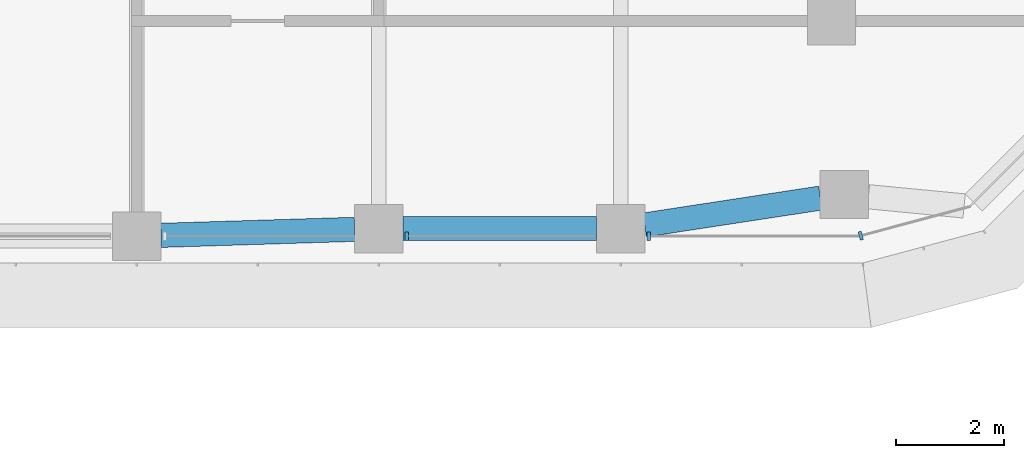
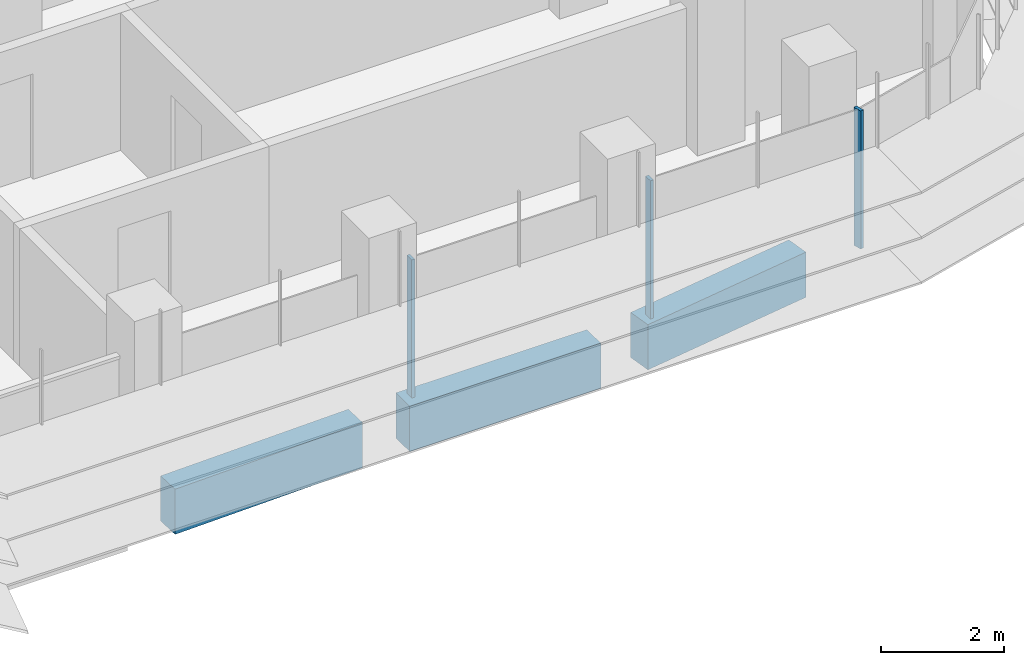
# One storey, part 5 of 22: 3 beams, 3 members, 2 elements without a shape of their own.
"""IFC4 building model written with IfcOpenShell, lengths in metres."""

from ifc_helpers import new_model, si_unit, direction, frame, origin, origin_2d, place, context, subcontext, project, spatial, polyline, rectangle, outline, extrude, source, transform, mapped, material, material_profile, profile_set, type_object, element, aggregate, save


model = new_model("IFC4")

# Units and contexts
model_context = context("Model", 3, precision=1e-05, world=origin(), true_north=direction((0.0, 1.0)))
body_context = subcontext(model_context, "Body", "Model", "MODEL_VIEW")
ifc_project = project(units=[si_unit("LENGTHUNIT", "METRE"), si_unit("AREAUNIT", "SQUARE_METRE"), si_unit("VOLUMEUNIT", "CUBIC_METRE"), si_unit("PLANEANGLEUNIT", "RADIAN"), si_unit("MASSUNIT", "GRAM", prefix="KILO")], contexts=[model_context])

# Site, building, storey
site_placement = place(None, origin())
site = spatial("IfcSite", under=ifc_project, at=site_placement, CompositionType="ELEMENT")
building_placement = place(site_placement, origin())
building = spatial("IfcBuilding", under=site, at=building_placement, Name="Zarbagh Exchange Tower", CompositionType="ELEMENT")
storey_placement = place(building_placement, frame((0.0, 0.0, 113.199951171875)))
storey = spatial("IfcBuildingStorey", under=building, at=storey_placement, Name="L26", CompositionType="ELEMENT", Elevation=113.199951171875)

# Beams
ifc_material_1 = material(Name="Concrete C60/75", Category="concrete")
ifc_material_profile = material_profile(ifc_material_1, rectangle(XDim=0.449951171875, YDim=0.89990234375, at=origin_2d()), Name="RC spandrel beam 450 x 900 C60/75")
ifc_profile_set = profile_set([ifc_material_profile], Name="Concrete C60/75")
beam_type = type_object("IfcBeamType", Name="RC spandrel beam 450 x 900 C60/75", PredefinedType="SPANDREL", material=ifc_profile_set)
beam_1_placement = place(storey_placement, frame((28.463134765625, -5.54296875, -0.599853515625), z_axis=(-0.988543505948, -0.150936201252, 0.0), x_axis=(0.150936201252, -0.988543505948, 0.0)))
element("IfcBeam", 1, at=beam_1_placement, inside=storey, type_object=beam_type, Name="RC spandrel beam", PredefinedType="SPANDREL", context=body_context, shape_type="SweptSolid", body=[
    extrude(rectangle(XDim=0.449951171875, YDim=0.89990234375, at=origin_2d()), origin(), (0.0, 0.0, 1.0), 3.30615234375),
])
beam_2_placement = place(storey_placement, frame((24.300048828125, -6.110107421875, -0.599853515625), z_axis=(-1.0, 0.0, 0.0), x_axis=(0.0, -1.0, 0.0)))
element("IfcBeam", 2, at=beam_2_placement, inside=storey, type_object=beam_type, Name="RC spandrel beam", PredefinedType="SPANDREL", context=body_context, shape_type="SweptSolid", body=[
    extrude(rectangle(XDim=0.449951171875, YDim=0.89990234375, at=origin_2d()), origin(), (0.0, 0.0, 1.0), 3.60009765625),
])
beam_3_placement = place(storey_placement, frame((19.80029296875, -6.1240234375, -0.599853515625), z_axis=(-0.999516035224, -0.031107801747, 0.0), x_axis=(0.031107801747, -0.999516035224, 0.0)))
element("IfcBeam", 3, at=beam_3_placement, inside=storey, type_object=beam_type, Name="RC spandrel beam", PredefinedType="SPANDREL", context=body_context, shape_type="SweptSolid", body=[
    extrude(rectangle(XDim=0.449951171875, YDim=0.89990234375, at=origin_2d()), origin(), (0.0, 0.0, 1.0), 3.602294921875),
])

# Curtain wall, members
ifc_material_2 = material(Name="Anodised aluminium frame and glazing", Category="aluminium")
curtain_wall_type = type_object("IfcCurtainWallType", Name="CWA Ribbon glazing, lower zones", PredefinedType="NOTDEFINED", material=ifc_material_2)
curtain_wall_1_placement = place(storey_placement, origin())
curtain_wall_1 = element("IfcCurtainWall", 4, at=curtain_wall_1_placement, inside=storey, type_object=curtain_wall_type, Name="CWA08 curtain wall", PredefinedType="NOTDEFINED")
ifc_material_3 = material(Name="Anodised aluminium frame", Category="aluminium")
member_type = type_object("IfcMemberType", Name="MUA Mullion, anodised aluminium frame", PredefinedType="MULLION", material=ifc_material_3)
shared_shape = source(origin(), body_context, "Body", "SweptSolid", [
    extrude(outline(polyline([(0.0, -0.080078125), (0.06005859375, -0.080078125), (0.06005859375, 0.080078125), (0.0, 0.080078125), (0.0, -0.080078125)])), origin(), (0.0, 0.0, 1.0), 2.75),
])
placement = place(storey_placement, origin())
member_1 = element("IfcMember", 5, at=placement, type_object=member_type, Name="CWA08 mullion 3.1", PredefinedType="MULLION", context=body_context, shape_type="MappedRepresentation", body=[
    mapped(shared_shape, transform((20.739990234375, -6.25, 0.0), x_axis=(1.0, 0.0, 0.0), y_axis=(0.0, 1.0, 0.0), z_axis=(0.0, 0.0, 1.0))),
])
member_2 = element("IfcMember", 6, at=placement, type_object=member_type, Name="CWA08 mullion 4.1", PredefinedType="MULLION", context=body_context, shape_type="MappedRepresentation", body=[
    mapped(shared_shape, transform((25.239990234375, -6.25, 0.0), x_axis=(1.0, 0.0, 0.0), y_axis=(0.0, 1.0, 0.0), z_axis=(0.0, 0.0, 1.0))),
])
aggregate(curtain_wall_1, [member_1, member_2])

# Curtain wall, member
curtain_wall_2_placement = place(storey_placement, origin())
curtain_wall_2 = element("IfcCurtainWall", 7, at=curtain_wall_2_placement, inside=storey, type_object=curtain_wall_type, Name="CWA09 curtain wall", PredefinedType="NOTDEFINED")
member_3 = element("IfcMember", 8, at=placement, type_object=member_type, Name="CWA09 mullion 1.1", PredefinedType="MULLION", context=body_context, shape_type="MappedRepresentation", body=[
    mapped(shared_shape, transform((29.18408203125, -6.25, 0.0), x_axis=(0.965924289636, 0.258824779902, 0.0), y_axis=(-0.258824779902, 0.965924289636, 0.0), z_axis=(0.0, 0.0, 1.0))),
])
aggregate(curtain_wall_2, [member_3])

save(model, "model.ifc")
